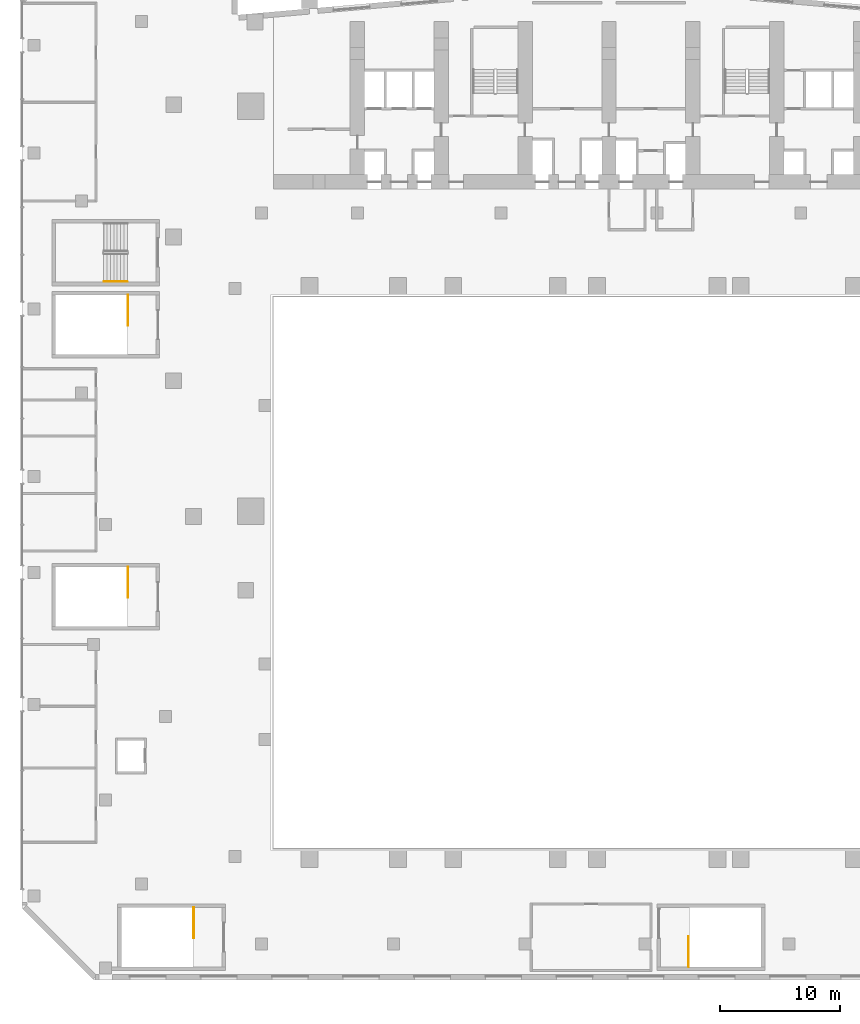
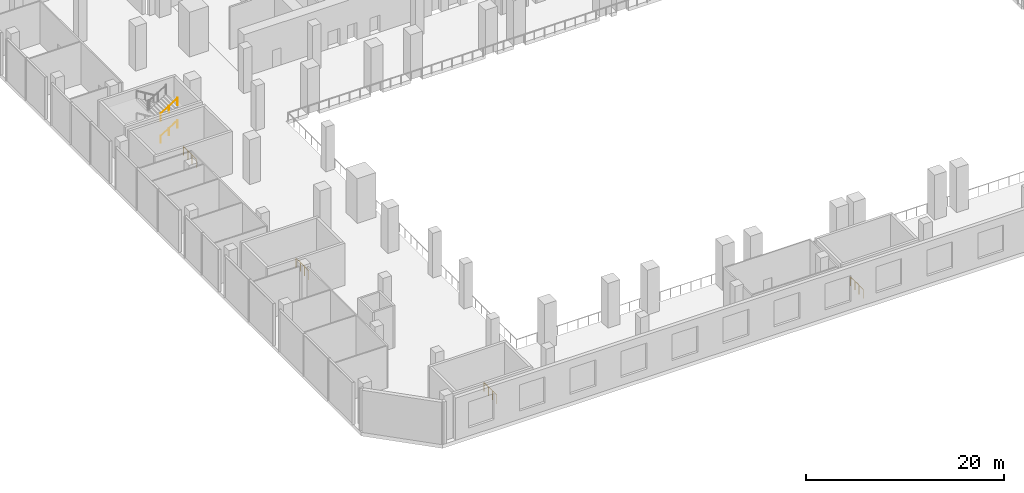
# One storey, part 20 of 25: 6 railings.
"""IFC4 building model written with IfcOpenShell, lengths in metres."""

from ifc_helpers import new_model, si_unit, direction, frame, origin, origin_2d, place, context, subcontext, project, spatial, circle, extrude, material, type_object, element, save


model = new_model("IFC4")

# Units and contexts
model_context = context("Model", 3, precision=1e-05, world=origin(), true_north=direction((0.0, 1.0)))
body_context = subcontext(model_context, "Body", "Model", "MODEL_VIEW")
ifc_project = project(units=[si_unit("LENGTHUNIT", "METRE"), si_unit("AREAUNIT", "SQUARE_METRE"), si_unit("VOLUMEUNIT", "CUBIC_METRE"), si_unit("PLANEANGLEUNIT", "RADIAN"), si_unit("MASSUNIT", "GRAM", prefix="KILO")], contexts=[model_context])

# Site, building, storey
site_placement = place(None, origin())
site = spatial("IfcSite", under=ifc_project, at=site_placement, CompositionType="ELEMENT")
building_placement = place(site_placement, origin())
building = spatial("IfcBuilding", under=site, at=building_placement, Name="Wharfspan Tower", CompositionType="ELEMENT")
storey_placement = place(building_placement, frame((0.0, 0.0, 27.5)))
storey = spatial("IfcBuildingStorey", under=building, at=storey_placement, Name="L04", CompositionType="ELEMENT", Elevation=27.5)

# Railings
ifc_material = material(Name="Steel S355J2", Category="steel")
railing_type_1 = type_object("IfcRailingType", Name="Podium guard 1100", PredefinedType="GUARDRAIL", material=ifc_material)
railing_1_placement = place(storey_placement, frame((2.350098, -25.949951, 0.0)))
element("IfcRailing", 1, at=railing_1_placement, inside=storey, type_object=railing_type_1, Name="L04 AS1 top well guard 1", PredefinedType="GUARDRAIL", context=body_context, shape_type="SweptSolid", body=[
    extrude(circle(Radius=0.023926, at=origin_2d()), frame((0.0, 0.0, 1.076172), z_axis=(0.0, -1.0, 0.0), x_axis=(1.0, 0.0, 0.0)), (0.0, 0.0, 1.0), 2.550049),
    extrude(circle(Radius=0.020996, at=origin_2d()), origin(), (0.0, 0.0, 1.0), 1.052002),
    extrude(circle(Radius=0.020996, at=origin_2d()), frame((0.0, -0.850098, 0.0)), (0.0, 0.0, 1.0), 1.052002),
    extrude(circle(Radius=0.020996, at=origin_2d()), frame((0.0, -1.699951, 0.0)), (0.0, 0.0, 1.0), 1.052002),
    extrude(circle(Radius=0.020996, at=origin_2d()), frame((0.0, -2.550049, 0.0)), (0.0, 0.0, 1.0), 1.052002),
])
railing_2_placement = place(storey_placement, frame((43.649902, -30.899902, 0.0)))
element("IfcRailing", 2, at=railing_2_placement, inside=storey, type_object=railing_type_1, Name="L04 AS5 top well guard 1", PredefinedType="GUARDRAIL", context=body_context, shape_type="SweptSolid", body=[
    extrude(circle(Radius=0.023926, at=origin_2d()), frame((0.0, 0.0, 1.076172), z_axis=(0.0, 1.0, 0.0), x_axis=(-1.0, 0.0, 0.0)), (0.0, 0.0, 1.0), 2.549805),
    extrude(circle(Radius=0.020996, at=origin_2d()), origin(), (0.0, 0.0, 1.0), 1.052002),
    extrude(circle(Radius=0.020996, at=origin_2d()), frame((0.0, 0.849854, 0.0)), (0.0, 0.0, 1.0), 1.052002),
    extrude(circle(Radius=0.020996, at=origin_2d()), frame((0.0, 1.699951, 0.0)), (0.0, 0.0, 1.0), 1.052002),
    extrude(circle(Radius=0.020996, at=origin_2d()), frame((0.0, 2.549805, 0.0)), (0.0, 0.0, 1.0), 1.052002),
])
railing_3_placement = place(storey_placement, frame((-3.149902, 2.449951, 0.0)))
element("IfcRailing", 3, at=railing_3_placement, inside=storey, type_object=railing_type_1, Name="L04 AS7 top well guard 1", PredefinedType="GUARDRAIL", context=body_context, shape_type="SweptSolid", body=[
    extrude(circle(Radius=0.023926, at=origin_2d()), frame((0.0, 0.0, 1.076172), z_axis=(0.0, -1.0, 0.0), x_axis=(1.0, 0.0, 0.0)), (0.0, 0.0, 1.0), 2.550049),
    extrude(circle(Radius=0.020996, at=origin_2d()), origin(), (0.0, 0.0, 1.0), 1.052002),
    extrude(circle(Radius=0.020996, at=origin_2d()), frame((0.0, -0.850098, 0.0)), (0.0, 0.0, 1.0), 1.052002),
    extrude(circle(Radius=0.020996, at=origin_2d()), frame((0.0, -1.699951, 0.0)), (0.0, 0.0, 1.0), 1.052002),
    extrude(circle(Radius=0.020996, at=origin_2d()), frame((0.0, -2.550049, 0.0)), (0.0, 0.0, 1.0), 1.052002),
])
railing_4_placement = place(storey_placement, frame((-3.149902, 25.149902, 0.0)))
element("IfcRailing", 4, at=railing_4_placement, inside=storey, type_object=railing_type_1, Name="L04 AS3 top well guard 1", PredefinedType="GUARDRAIL", context=body_context, shape_type="SweptSolid", body=[
    extrude(circle(Radius=0.023926, at=origin_2d()), frame((0.0, 0.0, 1.076172), z_axis=(0.0, -1.0, 0.0), x_axis=(1.0, 0.0, 0.0)), (0.0, 0.0, 1.0), 2.549805),
    extrude(circle(Radius=0.020996, at=origin_2d()), origin(), (0.0, 0.0, 1.0), 1.052002),
    extrude(circle(Radius=0.020996, at=origin_2d()), frame((0.0, -0.849854, 0.0)), (0.0, 0.0, 1.0), 1.052002),
    extrude(circle(Radius=0.020996, at=origin_2d()), frame((0.0, -1.699951, 0.0)), (0.0, 0.0, 1.0), 1.052002),
    extrude(circle(Radius=0.020996, at=origin_2d()), frame((0.0, -2.549805, 0.0)), (0.0, 0.0, 1.0), 1.052002),
])
railing_type_2 = type_object("IfcRailingType", Name="Podium stair handrail 900", PredefinedType="HANDRAIL", material=ifc_material)
for number, where, name in (
    (5, (-5.159912, 26.274902, 1.546875), "L04 PS3 stair handrail 2"),
    (6, (-5.159912, 26.274902, 4.296875), "L04 PS3 stair handrail 4"),
):
    element("IfcRailing", number, at=place(storey_placement, frame(where)), inside=storey, type_object=railing_type_2, Name=name, PredefinedType="HANDRAIL", context=body_context, shape_type="SweptSolid", body=[
        extrude(circle(Radius=0.023926, at=origin_2d()), frame((0.0, 0.0, 0.875977), z_axis=(0.852241, 0.0, 0.523149), x_axis=(0.0, 1.0, 0.0)), (0.0, 0.0, 1.0), 2.299805),
        extrude(circle(Radius=0.020996, at=origin_2d()), origin(), (0.0, 0.0, 1.0), 0.851807),
        extrude(circle(Radius=0.020996, at=origin_2d()), frame((0.97998, 0.0, 0.601562)), (0.0, 0.0, 1.0), 0.851807),
        extrude(circle(Radius=0.020996, at=origin_2d()), frame((1.959961, 0.0, 1.203125)), (0.0, 0.0, 1.0), 0.851807),
    ])

save(model, "model.ifc")
